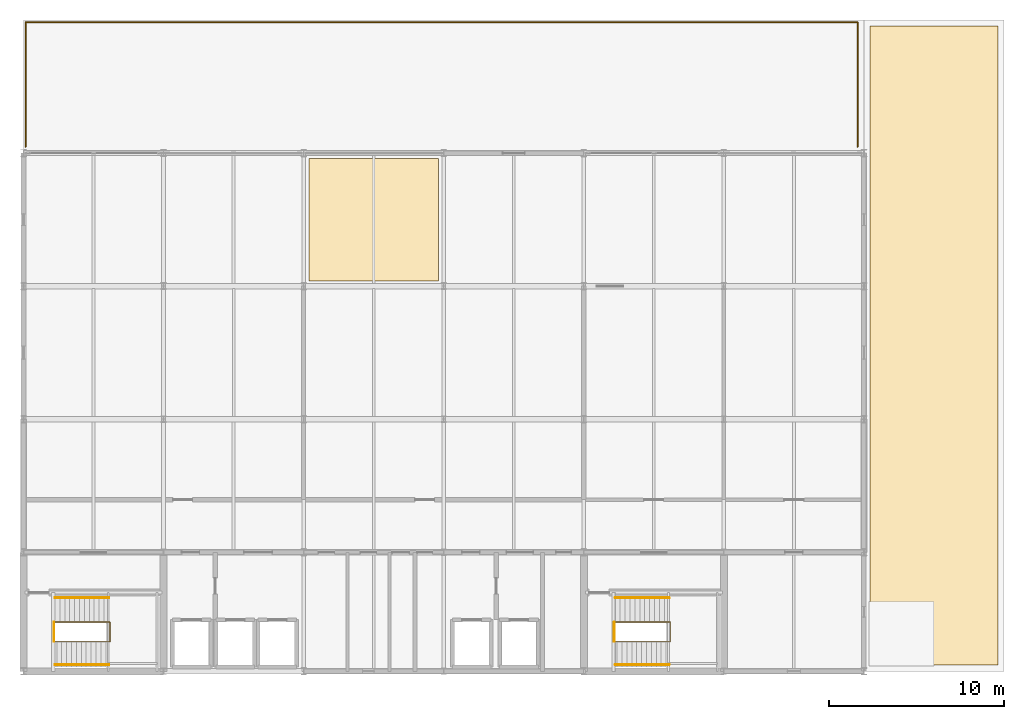
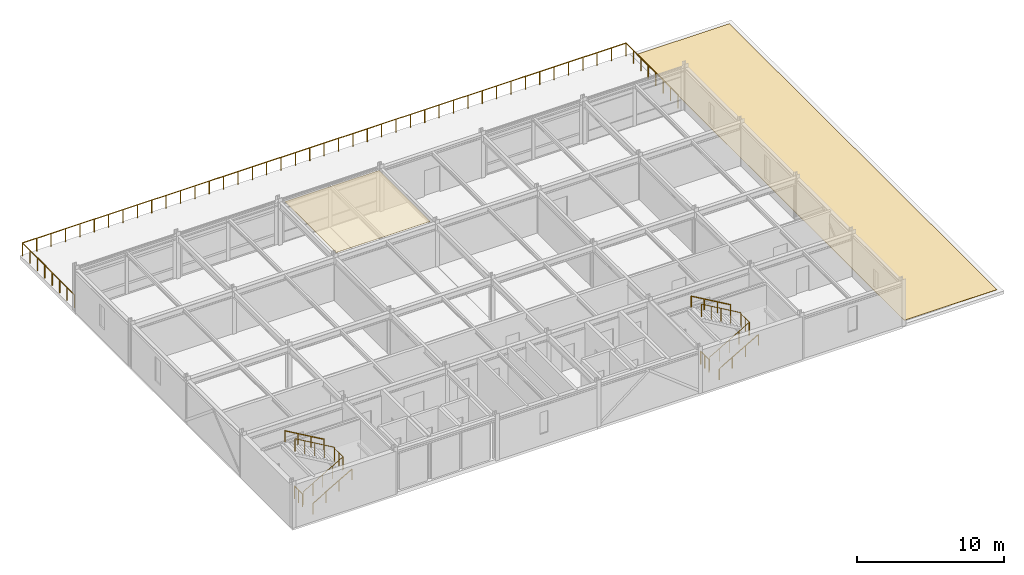
# One storey, part 12 of 12: 9 railings, 2 coverings.
"""IFC4 building model written with IfcOpenShell, lengths in metres."""

from ifc_helpers import new_model, si_unit, direction, frame, origin, origin_2d, place, context, subcontext, project, spatial, polyline, circle, outline, extrude, material, layer, layer_set, type_object, element, save


model = new_model("IFC4")

# Units and contexts
model_context = context("Model", 3, precision=1e-05, world=origin(), true_north=direction((0.0, 1.0)))
body_context = subcontext(model_context, "Body", "Model", "MODEL_VIEW")
ifc_project = project(units=[si_unit("LENGTHUNIT", "METRE"), si_unit("AREAUNIT", "SQUARE_METRE"), si_unit("VOLUMEUNIT", "CUBIC_METRE"), si_unit("PLANEANGLEUNIT", "RADIAN"), si_unit("MASSUNIT", "GRAM", prefix="KILO")], contexts=[model_context])

# Site, building, storey
site_placement = place(None, origin())
site = spatial("IfcSite", under=ifc_project, at=site_placement, CompositionType="ELEMENT")
building_placement = place(site_placement, origin())
building = spatial("IfcBuilding", under=site, at=building_placement, Name="Shalkamar Park Central Library", CompositionType="ELEMENT")
storey_placement = place(building_placement, frame((0.0, 0.0, 56.10009765625)))
storey = spatial("IfcBuildingStorey", under=building, at=storey_placement, Name="L14", CompositionType="ELEMENT", Elevation=56.10009765625)

# Coverings
ifc_material_1 = material(Name="Acoustic mineral fibre ceiling panel", Category="other")
ifc_layer_1 = layer(ifc_material_1, 0.02490234375)
ifc_layer_set_1 = layer_set([ifc_layer_1], Name="AcousticMineralCeilingTile")
covering_type_1 = type_object("IfcCoveringType", Name="Acoustic Mineral Ceiling Tile", PredefinedType="CEILING", material=ifc_layer_set_1)
covering_1_placement = place(storey_placement, frame((0.0, 0.0, 3.554931640625)))
element("IfcCovering", 1, at=covering_1_placement, inside=storey, type_object=covering_type_1, Name="Acoustic Reading Ceiling Panel L14", PredefinedType="CEILING", context=body_context, shape_type="SweptSolid", body=[
    extrude(outline(polyline([(181.300048828125, 270.699951171875), (188.699951171875, 270.699951171875), (188.699951171875, 277.699951171875), (181.300048828125, 277.699951171875), (181.300048828125, 270.699951171875)])), origin(), (0.0, 0.0, 1.0), 0.02490234375),
])
ifc_material_2 = material(Name="SBS modified bitumen roofing membrane", Category="other")
ifc_layer_2 = layer(ifc_material_2, 0.030029296875)
ifc_layer_set_2 = layer_set([ifc_layer_2], Name="ColdClimateRoofMembrane")
covering_type_2 = type_object("IfcCoveringType", Name="Cold Climate Roof Membrane", PredefinedType="ROOFING", material=ifc_layer_set_2)
covering_2_placement = place(storey_placement, origin())
element("IfcCovering", 2, at=covering_2_placement, inside=storey, type_object=covering_type_2, Name="SBS Roof Waterproofing Membrane RF-L13-E", PredefinedType="ROOFING", context=body_context, shape_type="SweptSolid", body=[
    extrude(outline(polyline([(213.35009765625, 248.75), (220.64990234375, 248.75), (220.64990234375, 285.25), (213.35009765625, 285.25), (213.35009765625, 248.75)])), origin(), (0.0, 0.0, 1.0), 0.02978515625),
])

# Railings
ifc_material_3 = material(Name="Steel S355", Category="steel")
railing_type_1 = type_object("IfcRailingType", Name="Stair Guardrail 1100", PredefinedType="GUARDRAIL", material=ifc_material_3)
railing_1_placement = place(storey_placement, frame((166.800048828125, 250.090087890625, 0.162353515625)))
element("IfcRailing", 3, at=railing_1_placement, inside=storey, type_object=railing_type_1, Name="Stair Inner Well Guardrail ST-T1-L14", PredefinedType="GUARDRAIL", context=body_context, shape_type="SweptSolid", body=[
    extrude(circle(Radius=0.02392578125, at=origin_2d()), frame((0.0, 0.0, 1.076171875), z_axis=(0.864873446163, 0.0, 0.501989962173), x_axis=(0.0, 1.0, 0.0)), (0.0, 0.0, 1.0), 3.56103515625),
    extrude(circle(Radius=0.02392578125, at=origin_2d()), frame((3.079833984375, 0.0, 2.86376953125), z_axis=(1.0, 0.0, 0.0), x_axis=(0.0, 1.0, 0.0)), (0.0, 0.0, 1.0), 0.06005859375),
    extrude(circle(Radius=0.02392578125, at=origin_2d()), frame((3.139892578125, 0.0, 2.86376953125), z_axis=(0.0, 1.0, 0.0), x_axis=(-1.0, 0.0, 0.0)), (0.0, 0.0, 1.0), 1.119873046875),
    extrude(circle(Radius=0.02392578125, at=origin_2d()), frame((3.139892578125, 1.119873046875, 2.86376953125), z_axis=(-0.346946854775, 0.0, 0.937884790346), x_axis=(0.0, -1.0, 0.0)), (0.0, 0.0, 1.0), 0.173095703125),
    extrude(circle(Radius=0.02392578125, at=origin_2d()), frame((3.079833984375, 1.119873046875, 3.02587890625), z_axis=(-0.864873446163, 0.0, 0.501989962173), x_axis=(0.0, -1.0, 0.0)), (0.0, 0.0, 1.0), 3.56103515625),
    extrude(circle(Radius=0.02099609375, at=origin_2d()), origin(), (0.0, 0.0, 1.0), 1.052001953125),
    extrude(circle(Radius=0.02099609375, at=origin_2d()), frame((0.77001953125, 0.0, 0.44677734375)), (0.0, 0.0, 1.0), 1.052001953125),
    extrude(circle(Radius=0.02099609375, at=origin_2d()), frame((1.5400390625, 0.0, 0.893798828125)), (0.0, 0.0, 1.0), 1.052001953125),
    extrude(circle(Radius=0.02099609375, at=origin_2d()), frame((2.309814453125, 0.0, 1.3408203125)), (0.0, 0.0, 1.0), 1.052001953125),
    extrude(circle(Radius=0.02099609375, at=origin_2d()), frame((3.079833984375, 0.0, 1.78759765625)), (0.0, 0.0, 1.0), 1.052001953125),
    extrude(circle(Radius=0.02099609375, at=origin_2d()), frame((3.139892578125, 0.0, 1.78759765625)), (0.0, 0.0, 1.0), 1.052001953125),
    extrude(circle(Radius=0.02099609375, at=origin_2d()), frame((3.139892578125, 0.56005859375, 1.78759765625)), (0.0, 0.0, 1.0), 1.052001953125),
    extrude(circle(Radius=0.02099609375, at=origin_2d()), frame((3.139892578125, 1.119873046875, 1.78759765625)), (0.0, 0.0, 1.0), 1.052001953125),
    extrude(circle(Radius=0.02099609375, at=origin_2d()), frame((3.079833984375, 1.119873046875, 1.949951171875)), (0.0, 0.0, 1.0), 1.052001953125),
    extrude(circle(Radius=0.02099609375, at=origin_2d()), frame((2.309814453125, 1.119873046875, 2.39697265625)), (0.0, 0.0, 1.0), 1.052001953125),
    extrude(circle(Radius=0.02099609375, at=origin_2d()), frame((1.5400390625, 1.119873046875, 2.84375)), (0.0, 0.0, 1.0), 1.052001953125),
    extrude(circle(Radius=0.02099609375, at=origin_2d()), frame((0.77001953125, 1.119873046875, 3.29052734375)), (0.0, 0.0, 1.0), 1.052001953125),
    extrude(circle(Radius=0.02099609375, at=origin_2d()), frame((0.0, 1.119873046875, 3.737548828125)), (0.0, 0.0, 1.0), 1.052001953125),
])
railing_2_placement = place(storey_placement, frame((166.739990234375, 250.10009765625, 0.0)))
element("IfcRailing", 4, at=railing_2_placement, inside=storey, type_object=railing_type_1, Name="Stair Arrival Well Guardrail ST-T1 (L14)", PredefinedType="GUARDRAIL", context=body_context, shape_type="SweptSolid", body=[
    extrude(circle(Radius=0.02392578125, at=origin_2d()), frame((0.0, 0.0, 1.076171875), z_axis=(0.0, 1.0, 0.0), x_axis=(-1.0, 0.0, 0.0)), (0.0, 0.0, 1.0), 1.099853515625),
    extrude(circle(Radius=0.02099609375, at=origin_2d()), origin(), (0.0, 0.0, 1.0), 1.052001953125),
    extrude(circle(Radius=0.02099609375, at=origin_2d()), frame((0.0, 0.5498046875, 0.0)), (0.0, 0.0, 1.0), 1.052001953125),
    extrude(circle(Radius=0.02099609375, at=origin_2d()), frame((0.0, 1.099853515625, 0.0)), (0.0, 0.0, 1.0), 1.052001953125),
])
railing_3_placement = place(storey_placement, frame((198.800048828125, 250.090087890625, 0.162353515625)))
element("IfcRailing", 5, at=railing_3_placement, inside=storey, type_object=railing_type_1, Name="Stair Inner Well Guardrail ST-T2-L14", PredefinedType="GUARDRAIL", context=body_context, shape_type="SweptSolid", body=[
    extrude(circle(Radius=0.02392578125, at=origin_2d()), frame((0.0, 0.0, 1.076171875), z_axis=(0.864873446163, 0.0, 0.501989962173), x_axis=(0.0, 1.0, 0.0)), (0.0, 0.0, 1.0), 3.56103515625),
    extrude(circle(Radius=0.02392578125, at=origin_2d()), frame((3.079833984375, 0.0, 2.86376953125), z_axis=(1.0, 0.0, 0.0), x_axis=(0.0, 1.0, 0.0)), (0.0, 0.0, 1.0), 0.06005859375),
    extrude(circle(Radius=0.02392578125, at=origin_2d()), frame((3.139892578125, 0.0, 2.86376953125), z_axis=(0.0, 1.0, 0.0), x_axis=(-1.0, 0.0, 0.0)), (0.0, 0.0, 1.0), 1.119873046875),
    extrude(circle(Radius=0.02392578125, at=origin_2d()), frame((3.139892578125, 1.119873046875, 2.86376953125), z_axis=(-0.346946854775, 0.0, 0.937884790346), x_axis=(0.0, -1.0, 0.0)), (0.0, 0.0, 1.0), 0.173095703125),
    extrude(circle(Radius=0.02392578125, at=origin_2d()), frame((3.079833984375, 1.119873046875, 3.02587890625), z_axis=(-0.864873446163, 0.0, 0.501989962173), x_axis=(0.0, -1.0, 0.0)), (0.0, 0.0, 1.0), 3.56103515625),
    extrude(circle(Radius=0.02099609375, at=origin_2d()), origin(), (0.0, 0.0, 1.0), 1.052001953125),
    extrude(circle(Radius=0.02099609375, at=origin_2d()), frame((0.77001953125, 0.0, 0.44677734375)), (0.0, 0.0, 1.0), 1.052001953125),
    extrude(circle(Radius=0.02099609375, at=origin_2d()), frame((1.5400390625, 0.0, 0.893798828125)), (0.0, 0.0, 1.0), 1.052001953125),
    extrude(circle(Radius=0.02099609375, at=origin_2d()), frame((2.309814453125, 0.0, 1.3408203125)), (0.0, 0.0, 1.0), 1.052001953125),
    extrude(circle(Radius=0.02099609375, at=origin_2d()), frame((3.079833984375, 0.0, 1.78759765625)), (0.0, 0.0, 1.0), 1.052001953125),
    extrude(circle(Radius=0.02099609375, at=origin_2d()), frame((3.139892578125, 0.0, 1.78759765625)), (0.0, 0.0, 1.0), 1.052001953125),
    extrude(circle(Radius=0.02099609375, at=origin_2d()), frame((3.139892578125, 0.56005859375, 1.78759765625)), (0.0, 0.0, 1.0), 1.052001953125),
    extrude(circle(Radius=0.02099609375, at=origin_2d()), frame((3.139892578125, 1.119873046875, 1.78759765625)), (0.0, 0.0, 1.0), 1.052001953125),
    extrude(circle(Radius=0.02099609375, at=origin_2d()), frame((3.079833984375, 1.119873046875, 1.949951171875)), (0.0, 0.0, 1.0), 1.052001953125),
    extrude(circle(Radius=0.02099609375, at=origin_2d()), frame((2.309814453125, 1.119873046875, 2.39697265625)), (0.0, 0.0, 1.0), 1.052001953125),
    extrude(circle(Radius=0.02099609375, at=origin_2d()), frame((1.5400390625, 1.119873046875, 2.84375)), (0.0, 0.0, 1.0), 1.052001953125),
    extrude(circle(Radius=0.02099609375, at=origin_2d()), frame((0.77001953125, 1.119873046875, 3.29052734375)), (0.0, 0.0, 1.0), 1.052001953125),
    extrude(circle(Radius=0.02099609375, at=origin_2d()), frame((0.0, 1.119873046875, 3.737548828125)), (0.0, 0.0, 1.0), 1.052001953125),
])
railing_4_placement = place(storey_placement, frame((198.739990234375, 250.10009765625, 0.0)))
element("IfcRailing", 6, at=railing_4_placement, inside=storey, type_object=railing_type_1, Name="Stair Arrival Well Guardrail ST-T2 (L14)", PredefinedType="GUARDRAIL", context=body_context, shape_type="SweptSolid", body=[
    extrude(circle(Radius=0.02392578125, at=origin_2d()), frame((0.0, 0.0, 1.076171875), z_axis=(0.0, 1.0, 0.0), x_axis=(-1.0, 0.0, 0.0)), (0.0, 0.0, 1.0), 1.099853515625),
    extrude(circle(Radius=0.02099609375, at=origin_2d()), origin(), (0.0, 0.0, 1.0), 1.052001953125),
    extrude(circle(Radius=0.02099609375, at=origin_2d()), frame((0.0, 0.5498046875, 0.0)), (0.0, 0.0, 1.0), 1.052001953125),
    extrude(circle(Radius=0.02099609375, at=origin_2d()), frame((0.0, 1.099853515625, 0.0)), (0.0, 0.0, 1.0), 1.052001953125),
])
railing_type_2 = type_object("IfcRailingType", Name="Stair Pitched Handrail 920", PredefinedType="HANDRAIL", material=ifc_material_3)
railing_5_placement = place(storey_placement, frame((166.800048828125, 248.780029296875, 0.162353515625)))
element("IfcRailing", 7, at=railing_5_placement, inside=storey, type_object=railing_type_2, Name="Stair Wall Handrail ST-T1-L14 Flight 1", PredefinedType="HANDRAIL", context=body_context, shape_type="SweptSolid", body=[
    extrude(circle(Radius=0.02392578125, at=origin_2d()), frame((0.0, 0.0, 0.89599609375), z_axis=(0.864873446163, 0.0, 0.501989962173), x_axis=(0.0, 1.0, 0.0)), (0.0, 0.0, 1.0), 3.56103515625),
    extrude(circle(Radius=0.02099609375, at=origin_2d()), origin(), (0.0, 0.0, 1.0), 0.871826171875),
    extrude(circle(Radius=0.02099609375, at=origin_2d()), frame((1.026611328125, 0.0, 0.595947265625)), (0.0, 0.0, 1.0), 0.871826171875),
    extrude(circle(Radius=0.02099609375, at=origin_2d()), frame((2.05322265625, 0.0, 1.191650390625)), (0.0, 0.0, 1.0), 0.871826171875),
    extrude(circle(Radius=0.02099609375, at=origin_2d()), frame((3.079833984375, 0.0, 1.78759765625)), (0.0, 0.0, 1.0), 0.871826171875),
])
railing_6_placement = place(storey_placement, frame((169.8798828125, 252.60009765625, 2.1123046875)))
element("IfcRailing", 8, at=railing_6_placement, inside=storey, type_object=railing_type_2, Name="Stair Wall Handrail ST-T1-L14 Flight 2", PredefinedType="HANDRAIL", context=body_context, shape_type="SweptSolid", body=[
    extrude(circle(Radius=0.02392578125, at=origin_2d()), frame((0.0, 0.0, 0.89599609375), z_axis=(-0.864873446163, 0.0, 0.501989962173), x_axis=(0.0, -1.0, 0.0)), (0.0, 0.0, 1.0), 3.56103515625),
    extrude(circle(Radius=0.02099609375, at=origin_2d()), origin(), (0.0, 0.0, 1.0), 0.871826171875),
    extrude(circle(Radius=0.02099609375, at=origin_2d()), frame((-1.026611328125, 0.0, 0.595947265625)), (0.0, 0.0, 1.0), 0.871826171875),
    extrude(circle(Radius=0.02099609375, at=origin_2d()), frame((-2.05322265625, 0.0, 1.191650390625)), (0.0, 0.0, 1.0), 0.871826171875),
    extrude(circle(Radius=0.02099609375, at=origin_2d()), frame((-3.079833984375, 0.0, 1.78759765625)), (0.0, 0.0, 1.0), 0.871826171875),
])
railing_7_placement = place(storey_placement, frame((198.800048828125, 248.780029296875, 0.162353515625)))
element("IfcRailing", 9, at=railing_7_placement, inside=storey, type_object=railing_type_2, Name="Stair Wall Handrail ST-T2-L14 Flight 1", PredefinedType="HANDRAIL", context=body_context, shape_type="SweptSolid", body=[
    extrude(circle(Radius=0.02392578125, at=origin_2d()), frame((0.0, 0.0, 0.89599609375), z_axis=(0.864873446163, 0.0, 0.501989962173), x_axis=(0.0, 1.0, 0.0)), (0.0, 0.0, 1.0), 3.56103515625),
    extrude(circle(Radius=0.02099609375, at=origin_2d()), origin(), (0.0, 0.0, 1.0), 0.871826171875),
    extrude(circle(Radius=0.02099609375, at=origin_2d()), frame((1.026611328125, 0.0, 0.595947265625)), (0.0, 0.0, 1.0), 0.871826171875),
    extrude(circle(Radius=0.02099609375, at=origin_2d()), frame((2.05322265625, 0.0, 1.191650390625)), (0.0, 0.0, 1.0), 0.871826171875),
    extrude(circle(Radius=0.02099609375, at=origin_2d()), frame((3.079833984375, 0.0, 1.78759765625)), (0.0, 0.0, 1.0), 0.871826171875),
])
railing_8_placement = place(storey_placement, frame((201.8798828125, 252.60009765625, 2.1123046875)))
element("IfcRailing", 10, at=railing_8_placement, inside=storey, type_object=railing_type_2, Name="Stair Wall Handrail ST-T2-L14 Flight 2", PredefinedType="HANDRAIL", context=body_context, shape_type="SweptSolid", body=[
    extrude(circle(Radius=0.02392578125, at=origin_2d()), frame((0.0, 0.0, 0.89599609375), z_axis=(-0.864873446163, 0.0, 0.501989962173), x_axis=(0.0, -1.0, 0.0)), (0.0, 0.0, 1.0), 3.56103515625),
    extrude(circle(Radius=0.02099609375, at=origin_2d()), origin(), (0.0, 0.0, 1.0), 0.871826171875),
    extrude(circle(Radius=0.02099609375, at=origin_2d()), frame((-1.026611328125, 0.0, 0.595947265625)), (0.0, 0.0, 1.0), 0.871826171875),
    extrude(circle(Radius=0.02099609375, at=origin_2d()), frame((-2.05322265625, 0.0, 1.191650390625)), (0.0, 0.0, 1.0), 0.871826171875),
    extrude(circle(Radius=0.02099609375, at=origin_2d()), frame((-3.079833984375, 0.0, 1.78759765625)), (0.0, 0.0, 1.0), 0.871826171875),
])
railing_type_3 = type_object("IfcRailingType", Name="Terrace Balustrade Guard 1100", PredefinedType="GUARDRAIL", material=ifc_material_3)
railing_9_placement = place(storey_placement, frame((165.1201171875, 278.360107421875, 0.0)))
element("IfcRailing", 11, at=railing_9_placement, inside=storey, type_object=railing_type_3, Name="Terrace Balustrade Guardrail TER-L14-N", PredefinedType="GUARDRAIL", context=body_context, shape_type="SweptSolid", body=[
    extrude(circle(Radius=0.02392578125, at=origin_2d()), frame((0.0, 0.0, 1.076171875), z_axis=(0.0, 1.0, 0.0), x_axis=(-1.0, 0.0, 0.0)), (0.0, 0.0, 1.0), 7.119873046875),
    extrude(circle(Radius=0.02392578125, at=origin_2d()), frame((0.0, 7.119873046875, 1.076171875), z_axis=(1.0, 0.0, 0.0), x_axis=(0.0, 1.0, 0.0)), (0.0, 0.0, 1.0), 47.519775390625),
    extrude(circle(Radius=0.02392578125, at=origin_2d()), frame((47.519775390625, 7.119873046875, 1.076171875), z_axis=(0.0, -1.0, 0.0), x_axis=(1.0, 0.0, 0.0)), (0.0, 0.0, 1.0), 7.119873046875),
    extrude(circle(Radius=0.02099609375, at=origin_2d()), origin(), (0.0, 0.0, 1.0), 1.052001953125),
    extrude(circle(Radius=0.02099609375, at=origin_2d()), frame((0.0, 1.01708984375, 0.0)), (0.0, 0.0, 1.0), 1.052001953125),
    extrude(circle(Radius=0.02099609375, at=origin_2d()), frame((0.0, 2.0341796875, 0.0)), (0.0, 0.0, 1.0), 1.052001953125),
    extrude(circle(Radius=0.02099609375, at=origin_2d()), frame((0.0, 3.05126953125, 0.0)), (0.0, 0.0, 1.0), 1.052001953125),
    extrude(circle(Radius=0.02099609375, at=origin_2d()), frame((0.0, 4.068603515625, 0.0)), (0.0, 0.0, 1.0), 1.052001953125),
    extrude(circle(Radius=0.02099609375, at=origin_2d()), frame((0.0, 5.085693359375, 0.0)), (0.0, 0.0, 1.0), 1.052001953125),
    extrude(circle(Radius=0.02099609375, at=origin_2d()), frame((0.0, 6.102783203125, 0.0)), (0.0, 0.0, 1.0), 1.052001953125),
    extrude(circle(Radius=0.02099609375, at=origin_2d()), frame((0.0, 7.119873046875, 0.0)), (0.0, 0.0, 1.0), 1.052001953125),
    extrude(circle(Radius=0.02099609375, at=origin_2d()), frame((1.13134765625, 7.119873046875, 0.0)), (0.0, 0.0, 1.0), 1.052001953125),
    extrude(circle(Radius=0.02099609375, at=origin_2d()), frame((2.262939453125, 7.119873046875, 0.0)), (0.0, 0.0, 1.0), 1.052001953125),
    extrude(circle(Radius=0.02099609375, at=origin_2d()), frame((3.394287109375, 7.119873046875, 0.0)), (0.0, 0.0, 1.0), 1.052001953125),
    extrude(circle(Radius=0.02099609375, at=origin_2d()), frame((4.525634765625, 7.119873046875, 0.0)), (0.0, 0.0, 1.0), 1.052001953125),
    extrude(circle(Radius=0.02099609375, at=origin_2d()), frame((5.6572265625, 7.119873046875, 0.0)), (0.0, 0.0, 1.0), 1.052001953125),
    extrude(circle(Radius=0.02099609375, at=origin_2d()), frame((6.78857421875, 7.119873046875, 0.0)), (0.0, 0.0, 1.0), 1.052001953125),
    extrude(circle(Radius=0.02099609375, at=origin_2d()), frame((7.919921875, 7.119873046875, 0.0)), (0.0, 0.0, 1.0), 1.052001953125),
    extrude(circle(Radius=0.02099609375, at=origin_2d()), frame((9.05126953125, 7.119873046875, 0.0)), (0.0, 0.0, 1.0), 1.052001953125),
    extrude(circle(Radius=0.02099609375, at=origin_2d()), frame((10.182861328125, 7.119873046875, 0.0)), (0.0, 0.0, 1.0), 1.052001953125),
    extrude(circle(Radius=0.02099609375, at=origin_2d()), frame((11.314208984375, 7.119873046875, 0.0)), (0.0, 0.0, 1.0), 1.052001953125),
    extrude(circle(Radius=0.02099609375, at=origin_2d()), frame((12.445556640625, 7.119873046875, 0.0)), (0.0, 0.0, 1.0), 1.052001953125),
    extrude(circle(Radius=0.02099609375, at=origin_2d()), frame((13.5771484375, 7.119873046875, 0.0)), (0.0, 0.0, 1.0), 1.052001953125),
    extrude(circle(Radius=0.02099609375, at=origin_2d()), frame((14.70849609375, 7.119873046875, 0.0)), (0.0, 0.0, 1.0), 1.052001953125),
    extrude(circle(Radius=0.02099609375, at=origin_2d()), frame((15.83984375, 7.119873046875, 0.0)), (0.0, 0.0, 1.0), 1.052001953125),
    extrude(circle(Radius=0.02099609375, at=origin_2d()), frame((16.971435546875, 7.119873046875, 0.0)), (0.0, 0.0, 1.0), 1.052001953125),
    extrude(circle(Radius=0.02099609375, at=origin_2d()), frame((18.102783203125, 7.119873046875, 0.0)), (0.0, 0.0, 1.0), 1.052001953125),
    extrude(circle(Radius=0.02099609375, at=origin_2d()), frame((19.234130859375, 7.119873046875, 0.0)), (0.0, 0.0, 1.0), 1.052001953125),
    extrude(circle(Radius=0.02099609375, at=origin_2d()), frame((20.36572265625, 7.119873046875, 0.0)), (0.0, 0.0, 1.0), 1.052001953125),
    extrude(circle(Radius=0.02099609375, at=origin_2d()), frame((21.4970703125, 7.119873046875, 0.0)), (0.0, 0.0, 1.0), 1.052001953125),
    extrude(circle(Radius=0.02099609375, at=origin_2d()), frame((22.62841796875, 7.119873046875, 0.0)), (0.0, 0.0, 1.0), 1.052001953125),
    extrude(circle(Radius=0.02099609375, at=origin_2d()), frame((23.759765625, 7.119873046875, 0.0)), (0.0, 0.0, 1.0), 1.052001953125),
    extrude(circle(Radius=0.02099609375, at=origin_2d()), frame((24.891357421875, 7.119873046875, 0.0)), (0.0, 0.0, 1.0), 1.052001953125),
    extrude(circle(Radius=0.02099609375, at=origin_2d()), frame((26.022705078125, 7.119873046875, 0.0)), (0.0, 0.0, 1.0), 1.052001953125),
    extrude(circle(Radius=0.02099609375, at=origin_2d()), frame((27.154052734375, 7.119873046875, 0.0)), (0.0, 0.0, 1.0), 1.052001953125),
    extrude(circle(Radius=0.02099609375, at=origin_2d()), frame((28.28564453125, 7.119873046875, 0.0)), (0.0, 0.0, 1.0), 1.052001953125),
    extrude(circle(Radius=0.02099609375, at=origin_2d()), frame((29.4169921875, 7.119873046875, 0.0)), (0.0, 0.0, 1.0), 1.052001953125),
    extrude(circle(Radius=0.02099609375, at=origin_2d()), frame((30.54833984375, 7.119873046875, 0.0)), (0.0, 0.0, 1.0), 1.052001953125),
    extrude(circle(Radius=0.02099609375, at=origin_2d()), frame((31.679931640625, 7.119873046875, 0.0)), (0.0, 0.0, 1.0), 1.052001953125),
    extrude(circle(Radius=0.02099609375, at=origin_2d()), frame((32.811279296875, 7.119873046875, 0.0)), (0.0, 0.0, 1.0), 1.052001953125),
    extrude(circle(Radius=0.02099609375, at=origin_2d()), frame((33.942626953125, 7.119873046875, 0.0)), (0.0, 0.0, 1.0), 1.052001953125),
    extrude(circle(Radius=0.02099609375, at=origin_2d()), frame((35.07421875, 7.119873046875, 0.0)), (0.0, 0.0, 1.0), 1.052001953125),
    extrude(circle(Radius=0.02099609375, at=origin_2d()), frame((36.20556640625, 7.119873046875, 0.0)), (0.0, 0.0, 1.0), 1.052001953125),
    extrude(circle(Radius=0.02099609375, at=origin_2d()), frame((37.3369140625, 7.119873046875, 0.0)), (0.0, 0.0, 1.0), 1.052001953125),
    extrude(circle(Radius=0.02099609375, at=origin_2d()), frame((38.468505859375, 7.119873046875, 0.0)), (0.0, 0.0, 1.0), 1.052001953125),
    extrude(circle(Radius=0.02099609375, at=origin_2d()), frame((39.599853515625, 7.119873046875, 0.0)), (0.0, 0.0, 1.0), 1.052001953125),
    extrude(circle(Radius=0.02099609375, at=origin_2d()), frame((40.731201171875, 7.119873046875, 0.0)), (0.0, 0.0, 1.0), 1.052001953125),
    extrude(circle(Radius=0.02099609375, at=origin_2d()), frame((41.862548828125, 7.119873046875, 0.0)), (0.0, 0.0, 1.0), 1.052001953125),
    extrude(circle(Radius=0.02099609375, at=origin_2d()), frame((42.994140625, 7.119873046875, 0.0)), (0.0, 0.0, 1.0), 1.052001953125),
    extrude(circle(Radius=0.02099609375, at=origin_2d()), frame((44.12548828125, 7.119873046875, 0.0)), (0.0, 0.0, 1.0), 1.052001953125),
    extrude(circle(Radius=0.02099609375, at=origin_2d()), frame((45.2568359375, 7.119873046875, 0.0)), (0.0, 0.0, 1.0), 1.052001953125),
    extrude(circle(Radius=0.02099609375, at=origin_2d()), frame((46.388427734375, 7.119873046875, 0.0)), (0.0, 0.0, 1.0), 1.052001953125),
    extrude(circle(Radius=0.02099609375, at=origin_2d()), frame((47.519775390625, 7.119873046875, 0.0)), (0.0, 0.0, 1.0), 1.052001953125),
    extrude(circle(Radius=0.02099609375, at=origin_2d()), frame((47.519775390625, 6.102783203125, 0.0)), (0.0, 0.0, 1.0), 1.052001953125),
    extrude(circle(Radius=0.02099609375, at=origin_2d()), frame((47.519775390625, 5.085693359375, 0.0)), (0.0, 0.0, 1.0), 1.052001953125),
    extrude(circle(Radius=0.02099609375, at=origin_2d()), frame((47.519775390625, 4.068603515625, 0.0)), (0.0, 0.0, 1.0), 1.052001953125),
    extrude(circle(Radius=0.02099609375, at=origin_2d()), frame((47.519775390625, 3.05126953125, 0.0)), (0.0, 0.0, 1.0), 1.052001953125),
    extrude(circle(Radius=0.02099609375, at=origin_2d()), frame((47.519775390625, 2.0341796875, 0.0)), (0.0, 0.0, 1.0), 1.052001953125),
    extrude(circle(Radius=0.02099609375, at=origin_2d()), frame((47.519775390625, 1.01708984375, 0.0)), (0.0, 0.0, 1.0), 1.052001953125),
    extrude(circle(Radius=0.02099609375, at=origin_2d()), frame((47.519775390625, 0.0, 0.0)), (0.0, 0.0, 1.0), 1.052001953125),
])

save(model, "model.ifc")
